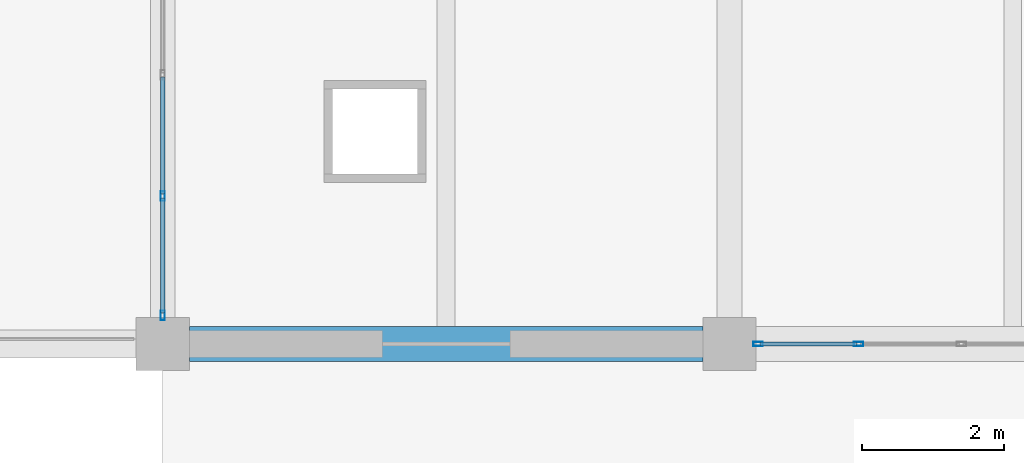
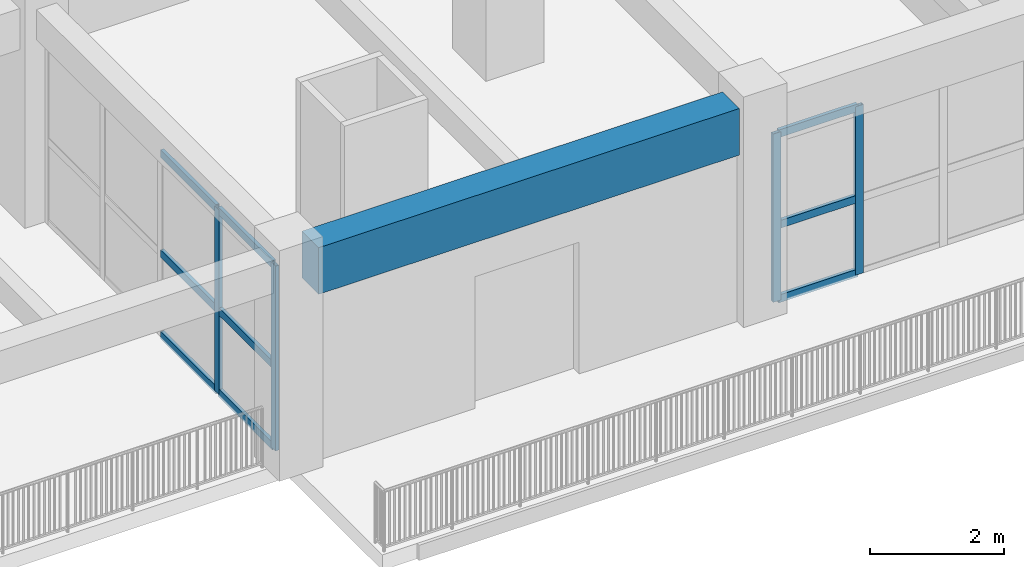
# One storey, part 4 of 63: 13 members, 1 beam, 2 elements without a shape of their own.
"""IFC4 building model written with IfcOpenShell, lengths in metres."""

from ifc_helpers import new_model, si_unit, direction, frame, origin, origin_2d, place, context, subcontext, project, spatial, rectangle, hollow_rectangle, extrude, material, material_profile, profile_set, type_object, element, aggregate, save


model = new_model("IFC4")

# Units and contexts
model_context = context("Model", 3, precision=1e-05, world=origin(), true_north=direction((0.0, 1.0)))
body_context = subcontext(model_context, "Body", "Model", "MODEL_VIEW")
ifc_project = project(units=[si_unit("LENGTHUNIT", "METRE"), si_unit("AREAUNIT", "SQUARE_METRE"), si_unit("VOLUMEUNIT", "CUBIC_METRE"), si_unit("PLANEANGLEUNIT", "RADIAN"), si_unit("MASSUNIT", "GRAM", prefix="KILO")], contexts=[model_context])

# Site, building, storey
site_placement = place(None, origin())
site = spatial("IfcSite", under=ifc_project, at=site_placement, CompositionType="ELEMENT")
building_placement = place(site_placement, origin())
building = spatial("IfcBuilding", under=site, at=building_placement, Name="Zantavel Square City Hall", CompositionType="ELEMENT")
storey_placement = place(building_placement, frame((0.0, 0.0, 14.699951171875)))
storey = spatial("IfcBuildingStorey", under=building, at=storey_placement, Name="L04", CompositionType="ELEMENT", Elevation=14.699951171875)

# Curtain wall, members
ifc_material_1 = material(Name="Anodised aluminium 6063-T6", Category="aluminium")
curtain_wall_type_1 = type_object("IfcCurtainWallType", Name="Curtain Wall TRV1 7250x3070", PredefinedType="USERDEFINED", material=ifc_material_1)
curtain_wall_1_placement = place(storey_placement, origin())
curtain_wall_1 = element("IfcCurtainWall", 1, at=curtain_wall_1_placement, inside=storey, type_object=curtain_wall_type_1, Name="L04 Glazed Curtain Wall CW-L04-117", ObjectType="GLAZED CURTAIN WALL", PredefinedType="USERDEFINED")
ifc_material_profile_1 = material_profile(ifc_material_1, hollow_rectangle(XDim=0.06005859375, YDim=0.135009765625, WallThickness=0.00390625, at=origin_2d()), Name="ALU 60x135x4")
ifc_profile_set_1 = profile_set([ifc_material_profile_1], Name="Anodised aluminium 6063-T6")
member_type_1 = type_object("IfcMemberType", Name="CW Mullion ALU 60x135x4", PredefinedType="MULLION", material=ifc_profile_set_1)
member_1_placement = place(storey_placement, frame((73.824951171875, 30.39990234375, 0.0), z_axis=(0.0, 0.0, 1.0), x_axis=(0.0, -1.0, 0.0)))
member_1 = element("IfcMember", 2, at=member_1_placement, type_object=member_type_1, Name="CW-117 mullion 5", PredefinedType="MULLION", context=body_context, shape_type="SweptSolid", body=[
    extrude(hollow_rectangle(XDim=0.06005859375, YDim=0.135009765625, WallThickness=0.00390625, at=origin_2d()), origin(), (0.0, 0.0, 1.0), 3.070068359375),
])
member_2_placement = place(storey_placement, frame((72.405029296875, 30.39990234375, 0.0), z_axis=(0.0, 0.0, 1.0), x_axis=(0.0, -1.0, 0.0)))
member_2 = element("IfcMember", 3, at=member_2_placement, type_object=member_type_1, Name="CW-117 mullion 6", PredefinedType="MULLION", context=body_context, shape_type="SweptSolid", body=[
    extrude(hollow_rectangle(XDim=0.06005859375, YDim=0.135009765625, WallThickness=0.00390625, at=origin_2d()), origin(), (0.0, 0.0, 1.0), 3.070068359375),
])

curtain_wall_type_2 = type_object("IfcCurtainWallType", Name="Curtain Wall TRV1 6850x3370", PredefinedType="USERDEFINED", material=ifc_material_1)
curtain_wall_2_placement = place(storey_placement, origin())
curtain_wall_2 = element("IfcCurtainWall", 4, at=curtain_wall_2_placement, inside=storey, type_object=curtain_wall_type_2, Name="L04 Glazed Curtain Wall CW-L04-118", ObjectType="GLAZED CURTAIN WALL", PredefinedType="USERDEFINED")
member_3_placement = place(storey_placement, frame((64.0, 30.804931640625, 0.0), z_axis=(0.0, 0.0, 1.0), x_axis=(-1.0, 0.0, 0.0)))
member_3 = element("IfcMember", 5, at=member_3_placement, type_object=member_type_1, Name="CW-118 mullion 1", PredefinedType="MULLION", context=body_context, shape_type="SweptSolid", body=[
    extrude(hollow_rectangle(XDim=0.06005859375, YDim=0.135009765625, WallThickness=0.00390625, at=origin_2d()), origin(), (0.0, 0.0, 1.0), 3.3701171875),
])
member_4_placement = place(storey_placement, frame((64.0, 32.487548828125, 0.0), z_axis=(0.0, 0.0, 1.0), x_axis=(-1.0, 0.0, 0.0)))
member_4 = element("IfcMember", 6, at=member_4_placement, type_object=member_type_1, Name="CW-118 mullion 2", PredefinedType="MULLION", context=body_context, shape_type="SweptSolid", body=[
    extrude(hollow_rectangle(XDim=0.06005859375, YDim=0.135009765625, WallThickness=0.00390625, at=origin_2d()), origin(), (0.0, 0.0, 1.0), 3.3701171875),
])

# Member
ifc_material_profile_2 = material_profile(ifc_material_1, hollow_rectangle(XDim=0.06005859375, YDim=0.139892578125, WallThickness=0.00390625, at=origin_2d()), Name="ALU 60x140x4")
ifc_profile_set_2 = profile_set([ifc_material_profile_2], Name="Anodised aluminium 6063-T6")
member_type_2 = type_object("IfcMemberType", Name="CW Transom ALU 60x140x4", PredefinedType="USERDEFINED", material=ifc_profile_set_2)
member_5_placement = place(storey_placement, frame((73.794921875, 30.39990234375, 0.030029296875), z_axis=(-1.0, 0.0, 0.0), x_axis=(0.0, -1.0, 0.0)))
member_5 = element("IfcMember", 7, at=member_5_placement, type_object=member_type_2, Name="CW-117 transom 5.1", ObjectType="TRANSOM", PredefinedType="USERDEFINED", context=body_context, shape_type="SweptSolid", body=[
    extrude(hollow_rectangle(XDim=0.06005859375, YDim=0.139892578125, WallThickness=0.00390625, at=origin_2d()), origin(), (0.0, 0.0, 1.0), 1.35986328125),
])

member_6_placement = place(storey_placement, frame((73.794921875, 30.39990234375, 1.381103515625), z_axis=(-1.0, 0.0, 0.0), x_axis=(0.0, -1.0, 0.0)))
member_6 = element("IfcMember", 8, at=member_6_placement, type_object=member_type_2, Name="CW-117 transom 5.2", ObjectType="TRANSOM", PredefinedType="USERDEFINED", context=body_context, shape_type="SweptSolid", body=[
    extrude(hollow_rectangle(XDim=0.06005859375, YDim=0.139892578125, WallThickness=0.00390625, at=origin_2d()), origin(), (0.0, 0.0, 1.0), 1.35986328125),
])

member_7_placement = place(storey_placement, frame((73.794921875, 30.39990234375, 3.0400390625), z_axis=(-1.0, 0.0, 0.0), x_axis=(0.0, -1.0, 0.0)))
member_7 = element("IfcMember", 9, at=member_7_placement, type_object=member_type_2, Name="CW-117 transom 5.3", ObjectType="TRANSOM", PredefinedType="USERDEFINED", context=body_context, shape_type="SweptSolid", body=[
    extrude(hollow_rectangle(XDim=0.06005859375, YDim=0.139892578125, WallThickness=0.00390625, at=origin_2d()), origin(), (0.0, 0.0, 1.0), 1.35986328125),
])

aggregate(curtain_wall_1, [member_1, member_2, member_5, member_6, member_7])

member_8_placement = place(storey_placement, frame((64.0, 30.8349609375, 0.030029296875), z_axis=(0.0, 1.0, 0.0), x_axis=(-1.0, 0.0, 0.0)))
member_8 = element("IfcMember", 10, at=member_8_placement, type_object=member_type_2, Name="CW-118 transom 1.1", ObjectType="TRANSOM", PredefinedType="USERDEFINED", context=body_context, shape_type="SweptSolid", body=[
    extrude(hollow_rectangle(XDim=0.06005859375, YDim=0.139892578125, WallThickness=0.00390625, at=origin_2d()), origin(), (0.0, 0.0, 1.0), 1.62255859375),
])

member_9_placement = place(storey_placement, frame((64.0, 30.8349609375, 1.51708984375), z_axis=(0.0, 1.0, 0.0), x_axis=(-1.0, 0.0, 0.0)))
member_9 = element("IfcMember", 11, at=member_9_placement, type_object=member_type_2, Name="CW-118 transom 1.2", ObjectType="TRANSOM", PredefinedType="USERDEFINED", context=body_context, shape_type="SweptSolid", body=[
    extrude(hollow_rectangle(XDim=0.06005859375, YDim=0.139892578125, WallThickness=0.00390625, at=origin_2d()), origin(), (0.0, 0.0, 1.0), 1.62255859375),
])

member_10_placement = place(storey_placement, frame((64.0, 30.8349609375, 3.340087890625), z_axis=(0.0, 1.0, 0.0), x_axis=(-1.0, 0.0, 0.0)))
member_10 = element("IfcMember", 12, at=member_10_placement, type_object=member_type_2, Name="CW-118 transom 1.3", ObjectType="TRANSOM", PredefinedType="USERDEFINED", context=body_context, shape_type="SweptSolid", body=[
    extrude(hollow_rectangle(XDim=0.06005859375, YDim=0.139892578125, WallThickness=0.00390625, at=origin_2d()), origin(), (0.0, 0.0, 1.0), 1.62255859375),
])

member_11_placement = place(storey_placement, frame((64.0, 32.517578125, 0.030029296875), z_axis=(0.0, 1.0, 0.0), x_axis=(-1.0, 0.0, 0.0)))
member_11 = element("IfcMember", 13, at=member_11_placement, type_object=member_type_2, Name="CW-118 transom 2.1", ObjectType="TRANSOM", PredefinedType="USERDEFINED", context=body_context, shape_type="SweptSolid", body=[
    extrude(hollow_rectangle(XDim=0.06005859375, YDim=0.139892578125, WallThickness=0.00390625, at=origin_2d()), origin(), (0.0, 0.0, 1.0), 1.65234375),
])

member_12_placement = place(storey_placement, frame((64.0, 32.517578125, 1.51708984375), z_axis=(0.0, 1.0, 0.0), x_axis=(-1.0, 0.0, 0.0)))
member_12 = element("IfcMember", 14, at=member_12_placement, type_object=member_type_2, Name="CW-118 transom 2.2", ObjectType="TRANSOM", PredefinedType="USERDEFINED", context=body_context, shape_type="SweptSolid", body=[
    extrude(hollow_rectangle(XDim=0.06005859375, YDim=0.139892578125, WallThickness=0.00390625, at=origin_2d()), origin(), (0.0, 0.0, 1.0), 1.65234375),
])

member_13_placement = place(storey_placement, frame((64.0, 32.517578125, 3.340087890625), z_axis=(0.0, 1.0, 0.0), x_axis=(-1.0, 0.0, 0.0)))
member_13 = element("IfcMember", 15, at=member_13_placement, type_object=member_type_2, Name="CW-118 transom 2.3", ObjectType="TRANSOM", PredefinedType="USERDEFINED", context=body_context, shape_type="SweptSolid", body=[
    extrude(hollow_rectangle(XDim=0.06005859375, YDim=0.139892578125, WallThickness=0.00390625, at=origin_2d()), origin(), (0.0, 0.0, 1.0), 1.65234375),
])

aggregate(curtain_wall_2, [member_3, member_4, member_8, member_9, member_10, member_11, member_12, member_13])

# Beam
ifc_material_2 = material(Name="Concrete C40/50", Category="concrete")
ifc_material_profile_3 = material_profile(ifc_material_2, rectangle(XDim=0.5, YDim=0.85009765625, at=origin_2d()), Name="RC 500x850")
ifc_profile_set_3 = profile_set([ifc_material_profile_3], Name="Concrete C40/50")
beam_type = type_object("IfcBeamType", Name="Council Chamber Girder RC 500x850 C40/50", PredefinedType="BEAM", material=ifc_profile_set_3)
beam_placement = place(storey_placement, frame((64.375, 30.39990234375, 3.4951171875), z_axis=(1.0, 0.0, 0.0), x_axis=(0.0, 1.0, 0.0)))
element("IfcBeam", 16, at=beam_placement, inside=storey, type_object=beam_type, Name="L04 Girder BMX-L04-0640-0304", PredefinedType="BEAM", context=body_context, shape_type="SweptSolid", body=[
    extrude(rectangle(XDim=0.5, YDim=0.85009765625, at=origin_2d()), origin(), (0.0, 0.0, 1.0), 7.25),
])

save(model, "model.ifc")
